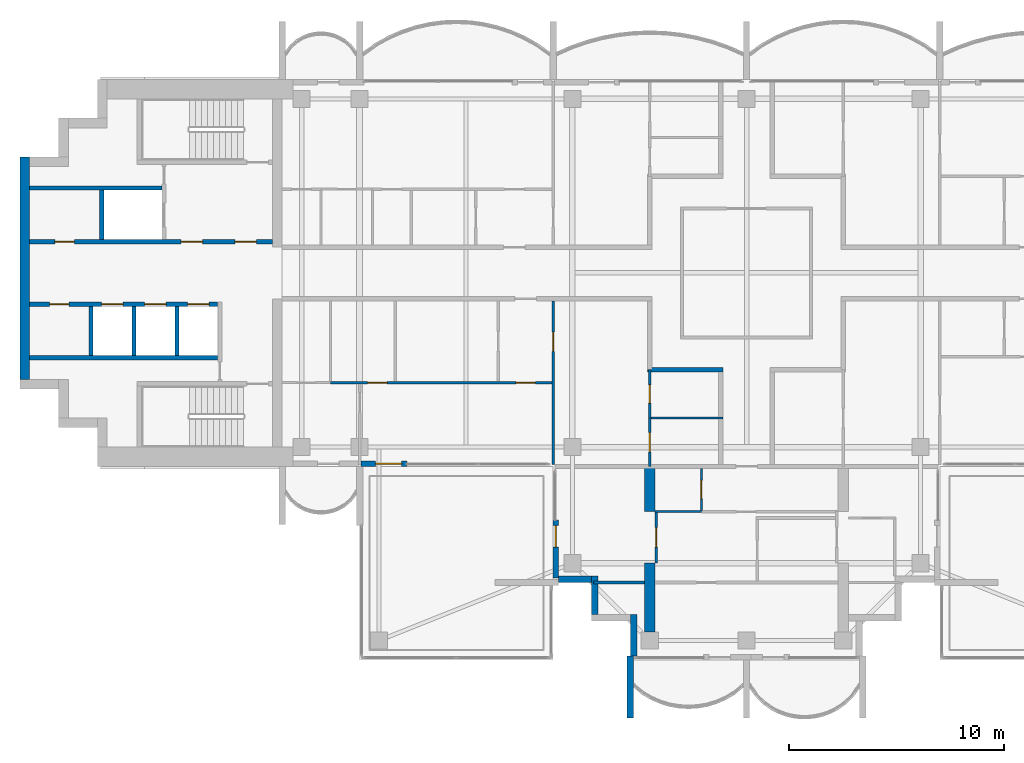
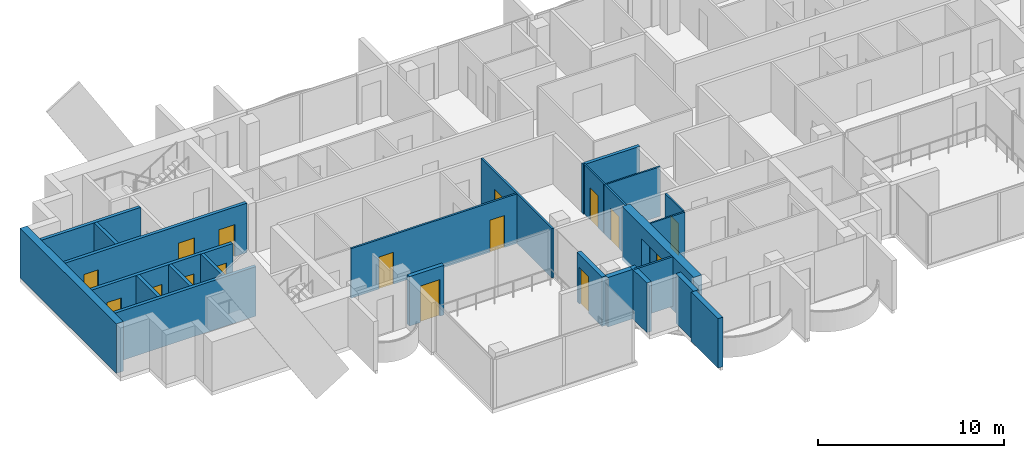
# One storey, part 7 of 16: 26 walls, 16 doors, 16 openings.
"""IFC4 building model written with IfcOpenShell, lengths in metres."""

import ifcopenshell
import ifcopenshell.guid

model = None  # the IFC model being written
_history = None  # IfcOwnerHistory: only IFC2X3 demands one
_inside = {}  # id of a spatial element -> (the spatial element, [elements in it])
_under = {}  # id of a project, library or spatial element -> (it, [spatial elements below it])
_declared = {}  # id of a project -> (the project, [libraries it declares])
_typed = {}  # id of a type object -> (the type object, [elements of that type])
_made_of = {}  # id of a material, layer set ... -> (it, [elements and type objects made of it])


def new_model(schema):
    """Start an empty IFC model of exactly this schema.

    Asked for "IFC4X3", IfcOpenShell would pick the latest addendum, in which some entities
    have other attributes; the version numbers below select the first issue.
    IFC2X3 requires an IfcOwnerHistory on every rooted entity: one is made here for all.
    """
    global model, _history
    if schema == "IFC4X3":
        model = ifcopenshell.file(schema_version=(4, 3, 0, 0))
    else:
        model = ifcopenshell.file(schema=schema)
    _inside.clear()
    _under.clear()
    _declared.clear()
    _typed.clear()
    _made_of.clear()
    _history = None
    if model.schema == "IFC2X3":
        org = make("IfcOrganization", Name="unknown")
        user = make(
            "IfcPersonAndOrganization",
            ThePerson=make("IfcPerson", FamilyName="unknown"),
            TheOrganization=org,
        )
        app = make(
            "IfcApplication",
            ApplicationDeveloper=org,
            Version="unknown",
            ApplicationFullName="unknown",
            ApplicationIdentifier="unknown",
        )
        _history = make(
            "IfcOwnerHistory",
            OwningUser=user,
            OwningApplication=app,
            ChangeAction="ADDED",
            CreationDate=0,
        )
    return model


def make(cls, **values):
    """One entity of the class cls with the attributes given. An attribute that is None is left unset."""
    return model.create_entity(
        cls, **{name: value for name, value in values.items() if value is not None}
    )


def rooted(cls, **values):
    """An entity with a GlobalId (a new one), such as an element, a storey or a relation."""
    return make(cls, GlobalId=ifcopenshell.guid.new(), OwnerHistory=_history, **values)


def si_unit(unit_type, name, prefix=None):
    """IfcSIUnit, for example si_unit("LENGTHUNIT", "METRE", prefix="MILLI")."""
    return make("IfcSIUnit", UnitType=unit_type, Prefix=prefix, Name=name)


def assignment(units):
    """IfcUnitAssignment: the units of a project."""
    return None if units is None else make("IfcUnitAssignment", Units=units)


def point(xyz):
    """IfcCartesianPoint."""
    return None if xyz is None else make("IfcCartesianPoint", Coordinates=xyz)


def direction(xyz):
    """IfcDirection."""
    return None if xyz is None else make("IfcDirection", DirectionRatios=xyz)


def frame(location, z_axis=None, x_axis=None):
    """IfcAxis2Placement3D, a coordinate frame: its origin and axes. An axis left out is left unset."""
    return make(
        "IfcAxis2Placement3D",
        Location=point(location),
        Axis=direction(z_axis),
        RefDirection=direction(x_axis),
    )


def frame_2d(location, x_axis=None):
    """IfcAxis2Placement2D, a coordinate frame in the plane: its origin and x axis."""
    return make(
        "IfcAxis2Placement2D", Location=point(location), RefDirection=direction(x_axis)
    )


def origin():
    """The frame at (0, 0, 0) with its axes left unset."""
    return frame((0.0, 0.0, 0.0))


def place(relative_to, where):
    """IfcLocalPlacement: puts the frame where relative to a parent placement (None: the world)."""
    return make(
        "IfcLocalPlacement", PlacementRelTo=relative_to, RelativePlacement=where
    )


def context(
    kind, dimensions, precision=None, world=None, true_north=None, identifier=None
):
    """IfcGeometricRepresentationContext, for example the 3D "Model" context."""
    return make(
        "IfcGeometricRepresentationContext",
        ContextIdentifier=identifier,
        ContextType=kind,
        CoordinateSpaceDimension=dimensions,
        Precision=precision,
        WorldCoordinateSystem=world,
        TrueNorth=true_north,
    )


def subcontext(parent, identifier, kind, view, scale=None):
    """IfcGeometricRepresentationSubContext, for example "Body" below "Model"."""
    return make(
        "IfcGeometricRepresentationSubContext",
        ContextIdentifier=identifier,
        ContextType=kind,
        ParentContext=parent,
        TargetScale=scale,
        TargetView=view,
    )


def project(units=None, contexts=None):
    """IfcProject with its units and contexts."""
    return rooted(
        "IfcProject",
        Name="project",
        RepresentationContexts=contexts,
        UnitsInContext=assignment(units),
    )


def spatial(cls, under=None, at=None, **own):
    """A site, building, storey or space (cls), placed at a placement, below another one or the project."""
    s = rooted(cls, ObjectPlacement=at, **own)
    if under is not None:
        _under.setdefault(under.id(), (under, []))[1].append(s)
    return s


def polyline(points):
    """IfcPolyline through the points."""
    return make("IfcPolyline", Points=[point(p) for p in points])


def profile(cls, at=None, kind="AREA", **sizes):
    """A parametric profile (cls). Its sizes go by their IFC names, for example OverallWidth=200.0."""
    return make(cls, ProfileType=kind, Position=at, **sizes)


def rectangle(**sizes):
    """IfcRectangleProfileDef."""
    return profile("IfcRectangleProfileDef", **sizes)


def outline(outer, holes=None, kind="AREA"):
    """IfcArbitraryClosedProfileDef: a profile drawn as a closed curve; with holes, ...WithVoids."""
    if holes is None:
        return make("IfcArbitraryClosedProfileDef", ProfileType=kind, OuterCurve=outer)
    return make(
        "IfcArbitraryProfileDefWithVoids",
        ProfileType=kind,
        OuterCurve=outer,
        InnerCurves=holes,
    )


def extrude(swept, where, along, depth):
    """IfcExtrudedAreaSolid: the profile swept, set in the frame where, extruded along a direction by depth."""
    return make(
        "IfcExtrudedAreaSolid",
        SweptArea=swept,
        Position=where,
        ExtrudedDirection=direction(along),
        Depth=depth,
    )


def shape(context_of_items, identifier, shape_type, items):
    """IfcShapeRepresentation: the items that make up one representation, for example the "Body"."""
    return make(
        "IfcShapeRepresentation",
        ContextOfItems=context_of_items,
        RepresentationIdentifier=identifier,
        RepresentationType=shape_type,
        Items=items,
    )


def material(Name=None, Category=None):
    """IfcMaterial."""
    return make("IfcMaterial", Name=Name, Category=Category)


def layer(
    of_material, thickness, ventilated=None, Name=None, Category=None, Priority=None
):
    """IfcMaterialLayer: one layer of a wall or slab, of a material (None: an air gap)."""
    return make(
        "IfcMaterialLayer",
        Material=of_material,
        LayerThickness=thickness,
        IsVentilated=ventilated,
        Name=Name,
        Category=Category,
        Priority=Priority,
    )


def layer_set(layers, Name=None):
    """IfcMaterialLayerSet."""
    return make("IfcMaterialLayerSet", MaterialLayers=layers, LayerSetName=Name)


def material_profile(
    of_material, cross_section, Name=None, Category=None, Priority=None
):
    """IfcMaterialProfile: a cross section and its material."""
    return make(
        "IfcMaterialProfile",
        Name=Name,
        Material=of_material,
        Profile=cross_section,
        Priority=Priority,
        Category=Category,
    )


def profile_set(profiles, Name=None, composite=None):
    """IfcMaterialProfileSet."""
    return make(
        "IfcMaterialProfileSet",
        Name=Name,
        MaterialProfiles=profiles,
        CompositeProfile=composite,
    )


def made_of(thing, what):
    """Note that an element or type object is made of a material, layer set ...; save() writes the relation."""
    if what is not None:
        _made_of.setdefault(what.id(), (what, []))[1].append(thing)
    return thing


def type_object(cls, material=None, **own):
    """A type object (cls), such as IfcWallType, which elements share."""
    return made_of(rooted(cls, **own), material)


def element(
    cls,
    number,
    at=None,
    inside=None,
    cuts=None,
    type_object=None,
    material=None,
    context=None,
    identifier="Body",
    shape_type=None,
    held_by="IfcProductDefinitionShape",
    body=None,
    shapes=None,
    **own,
):
    """One element of the class cls, such as IfcWall. Its Tag is "e" and its number.

    at: its placement. inside: the storey or other place that contains it. cuts: it is an
    opening in that element (IfcRelVoidsElement). A single representation is given by context,
    identifier, shape_type and body (its items); several are given by shapes. held_by: the class
    of the entity that holds the representations. save() writes the other relations.
    """
    e = rooted(cls, Tag="e%d" % number, ObjectPlacement=at, **own)
    if body is not None:
        shapes = [shape(context, identifier, shape_type, body)]
    if shapes is not None:
        e.Representation = make(held_by, Representations=shapes)
    if inside is not None:
        _inside.setdefault(inside.id(), (inside, []))[1].append(e)
    if cuts is not None:
        rooted(
            "IfcRelVoidsElement", RelatingBuildingElement=cuts, RelatedOpeningElement=e
        )
    if type_object is not None:
        _typed.setdefault(type_object.id(), (type_object, []))[1].append(e)
    return made_of(e, material)


def fill(opening, filler):
    """IfcRelFillsElement: the door or window that sits in an opening."""
    return rooted(
        "IfcRelFillsElement",
        RelatingOpeningElement=opening,
        RelatedBuildingElement=filler,
    )


def aggregate(whole, parts):
    """IfcRelAggregates: a whole, such as a stair, and the parts it consists of."""
    return rooted("IfcRelAggregates", RelatingObject=whole, RelatedObjects=parts)


def save(model, path):
    """Write the relations noted so far, then the file.

    IfcRelAggregates (storeys below a building ...), IfcRelContainedInSpatialStructure (elements
    in a storey), IfcRelDefinesByType, IfcRelAssociatesMaterial and IfcRelDeclares: one each for
    every whole, place, type object, material and project.
    """
    for whole, parts in _under.values():
        aggregate(whole, parts)
    for where, things in _inside.values():
        rooted(
            "IfcRelContainedInSpatialStructure",
            RelatedElements=things,
            RelatingStructure=where,
        )
    for kind, things in _typed.values():
        rooted("IfcRelDefinesByType", RelatedObjects=things, RelatingType=kind)
    for what, things in _made_of.values():
        rooted("IfcRelAssociatesMaterial", RelatedObjects=things, RelatingMaterial=what)
    for by, libraries in _declared.values():
        rooted("IfcRelDeclares", RelatingContext=by, RelatedDefinitions=libraries)
    model.write(path)


model = new_model("IFC4")

# Units and contexts
model_context = context("Model", 3, precision=1e-05, world=origin(), true_north=direction((0.0, 1.0)))
body_context = subcontext(model_context, "Body", "Model", "MODEL_VIEW")
ifc_project = project(units=[si_unit("LENGTHUNIT", "METRE"), si_unit("AREAUNIT", "SQUARE_METRE"), si_unit("VOLUMEUNIT", "CUBIC_METRE"), si_unit("PLANEANGLEUNIT", "RADIAN"), si_unit("MASSUNIT", "GRAM", prefix="KILO")], contexts=[model_context])

# Site, building, storey
site_placement = place(None, origin())
site = spatial("IfcSite", under=ifc_project, at=site_placement, CompositionType="ELEMENT")
building_placement = place(site_placement, origin())
building = spatial("IfcBuilding", under=site, at=building_placement, Name="Perihelion Cross Residences", CompositionType="ELEMENT")
storey_placement = place(building_placement, frame((0.0, 0.0, 250.0)))
storey = spatial("IfcBuildingStorey", under=building, at=storey_placement, Name="L63", CompositionType="ELEMENT", Elevation=250.0)

# Wall
ifc_material_1 = material(Name="Plasterboard partition")
ifc_layer_1 = layer(ifc_material_1, 0.199951171875)
ifc_layer_set_1 = layer_set([ifc_layer_1], Name="Apartment separation wall 200")
wall_type_1 = type_object("IfcWallType", Name="Apartment separation wall 200", PredefinedType="PARTITIONING", material=ifc_layer_set_1)
wall_1_placement = place(storey_placement, frame((-1.10009765625, -4.5, 0.0), z_axis=(0.0, 0.0, 1.0), x_axis=(-1.0, 0.0, 0.0)))
element("IfcWall", 1, at=wall_1_placement, inside=storey, type_object=wall_type_1, Name="Partition L63 W020", PredefinedType="PARTITIONING", context=body_context, shape_type="SweptSolid", body=[
    extrude(rectangle(XDim=3.5, YDim=0.199951171875, at=frame_2d((1.75, 0.0))), origin(), (0.0, 0.0, 1.0), 3.25),
])

# Wall, opening, door
ifc_material_2 = material(Name="Concrete C30/37, bronze-clad", Category="concrete")
ifc_layer_2 = layer(ifc_material_2, 0.25)
ifc_layer_set_2 = layer_set([ifc_layer_2], Name="Bronze-clad pier wall 250")
wall_type_2 = type_object("IfcWallType", Name="Bronze-clad pier wall 250", PredefinedType="SOLIDWALL", material=ifc_layer_set_2)
wall_2_placement = place(storey_placement, frame((-17.93994140625, -8.875, 0.0), z_axis=(0.0, 0.0, 1.0), x_axis=(1.0, 0.0, 0.0)))
wall_2 = element("IfcWall", 2, at=wall_2_placement, inside=storey, type_object=wall_type_2, Name="Wall FW1 L63 west side south bay 2 pier", PredefinedType="SOLIDWALL", context=body_context, shape_type="SweptSolid", body=[
    extrude(rectangle(XDim=2.139892578125, YDim=0.25, at=frame_2d((1.06982421875, 0.0))), origin(), (0.0, 0.0, 1.0), 3.25),
])
opening_1_placement = place(wall_2_placement, frame((0.68994140625, 0.0, 0.0)))
opening_1 = element("IfcOpeningElement", 3, at=opening_1_placement, cuts=wall_2, Name="Opening L63.E08", PredefinedType="OPENING", context=body_context, shape_type="SweptSolid", body=[
    extrude(rectangle(XDim=1.199951171875, YDim=2.39990234375, at=frame_2d((0.60009765625, 1.199951171875))), frame((0.0, 0.135009765625, 0.0), z_axis=(0.0, -1.0, 0.0), x_axis=(1.0, 0.0, 0.0)), (0.0, 0.0, 1.0), 0.27001953125),
])
ifc_material_3 = material(Name="Bronze anodised aluminium, glazed", Category="aluminium")
door_type_1 = type_object("IfcDoorType", Name="Balcony door 1200 x 2400", OperationType="NOTDEFINED", PredefinedType="DOOR", material=ifc_material_3)
door_1_placement = place(opening_1_placement, origin())
door_1 = element("IfcDoor", 4, at=door_1_placement, inside=storey, type_object=door_type_1, Name="Door L63.E08 west side south bay 2", OperationType="SINGLE_SWING_RIGHT", OverallHeight=2.39990234375, OverallWidth=1.199951171875, PredefinedType="DOOR", context=body_context, shape_type="SweptSolid", body=[
    extrude(rectangle(XDim=1.199951171875, YDim=2.39990234375, at=frame_2d((0.60009765625, 1.199951171875))), frame((0.0, 0.02490234375, 0.0), z_axis=(0.0, -1.0, 0.0), x_axis=(1.0, 0.0, 0.0)), (0.0, 0.0, 1.0), 0.050048828125),
])
fill(opening_1, door_1)

wall_3_placement = place(storey_placement, frame((-8.875, -11.5, 0.0), z_axis=(0.0, 0.0, 1.0), x_axis=(0.0, -1.0, 0.0)))
wall_3 = element("IfcWall", 5, at=wall_3_placement, inside=storey, type_object=wall_type_2, Name="Wall FW1 L63 south side west bay 1 pier", PredefinedType="SOLIDWALL", context=body_context, shape_type="SweptSolid", body=[
    extrude(rectangle(XDim=2.699951171875, YDim=0.25, at=frame_2d((1.35009765625, 0.0))), origin(), (0.0, 0.0, 1.0), 3.25),
])
opening_2_placement = place(wall_3_placement, frame((0.25, 0.0, 0.0)))
opening_2 = element("IfcOpeningElement", 6, at=opening_2_placement, cuts=wall_3, Name="Opening L63.E09", PredefinedType="OPENING", context=body_context, shape_type="SweptSolid", body=[
    extrude(rectangle(XDim=1.0, YDim=2.39990234375, at=frame_2d((0.5, 1.199951171875))), frame((0.0, 0.135009765625, 0.0), z_axis=(0.0, -1.0, 0.0), x_axis=(1.0, 0.0, 0.0)), (0.0, 0.0, 1.0), 0.27001953125),
])
ifc_material_4 = material(Name="Bronze anodised aluminium, glazed", Category="aluminium")
door_type_2 = type_object("IfcDoorType", Name="Balcony door 1000 x 2400", OperationType="NOTDEFINED", PredefinedType="DOOR", material=ifc_material_4)
door_2_placement = place(opening_2_placement, origin())
door_2 = element("IfcDoor", 7, at=door_2_placement, inside=storey, type_object=door_type_2, Name="Door L63.E09 south side west bay 1", OperationType="SINGLE_SWING_LEFT", OverallHeight=2.39990234375, OverallWidth=1.0, PredefinedType="DOOR", context=body_context, shape_type="SweptSolid", body=[
    extrude(rectangle(XDim=1.0, YDim=2.39990234375, at=frame_2d((0.5, 1.199951171875))), frame((0.0, 0.02490234375, 0.0), z_axis=(0.0, -1.0, 0.0), x_axis=(1.0, 0.0, 0.0)), (0.0, 0.0, 1.0), 0.050048828125),
])
fill(opening_2, door_2)

# Walls
ifc_material_5 = material(Name="Concrete C30/37, bronze-clad", Category="concrete")
ifc_layer_3 = layer(ifc_material_5, 0.300048828125)
ifc_layer_set_3 = layer_set([ifc_layer_3], Name="Bronze-clad serration wall 300")
wall_type_3 = type_object("IfcWallType", Name="Bronze-clad serration wall 300", PredefinedType="SOLIDWALL", material=ifc_layer_set_3)
wall_4_placement = place(storey_placement, frame((-8.75, -14.25, 0.0), z_axis=(0.0, 0.0, 1.0), x_axis=(1.0, 0.0, 0.0)))
element("IfcWall", 8, at=wall_4_placement, inside=storey, type_object=wall_type_3, Name="Wall SR1 L63 south corner south-west 1", PredefinedType="SOLIDWALL", context=body_context, shape_type="SweptSolid", body=[
    extrude(rectangle(XDim=1.550048828125, YDim=0.300048828125, at=frame_2d((0.77490234375, 0.0))), origin(), (0.0, 0.0, 1.0), 3.25),
])
wall_5_placement = place(storey_placement, frame((-7.050048828125, -14.10009765625, 0.0), z_axis=(0.0, 0.0, 1.0), x_axis=(0.0, -1.0, 0.0)))
element("IfcWall", 9, at=wall_5_placement, inside=storey, type_object=wall_type_3, Name="Wall SR1 L63 south corner south-west 2", PredefinedType="SOLIDWALL", context=body_context, shape_type="SweptSolid", body=[
    extrude(rectangle(XDim=1.7998046875, YDim=0.300048828125, at=frame_2d((0.89990234375, 0.0))), origin(), (0.0, 0.0, 1.0), 3.25),
])
wall_6_placement = place(storey_placement, frame((-5.25, -15.89990234375, 0.0), z_axis=(0.0, 0.0, 1.0), x_axis=(0.0, -1.0, 0.0)))
element("IfcWall", 10, at=wall_6_placement, inside=storey, type_object=wall_type_3, Name="Wall SR1 L63 south corner south-west 4", PredefinedType="SOLIDWALL", context=body_context, shape_type="SweptSolid", body=[
    extrude(rectangle(XDim=1.920166015625, YDim=0.300048828125, at=frame_2d((0.9599609375, 0.0))), origin(), (0.0, 0.0, 1.0), 3.25),
])
ifc_material_6 = material(Name="Concrete C60/75", Category="concrete")
ifc_layer_4 = layer(ifc_material_6, 0.449951171875)
ifc_layer_set_4 = layer_set([ifc_layer_4], Name="Core wall, outer 450")
wall_type_4 = type_object("IfcWallType", Name="Core wall, outer 450", PredefinedType="SHEAR", material=ifc_layer_set_4)
wall_7_placement = place(storey_placement, frame((-33.574951171875, -4.949951171875, 0.0), z_axis=(0.0, 0.0, 1.0), x_axis=(0.0, 1.0, 0.0)))
element("IfcWall", 11, at=wall_7_placement, inside=storey, type_object=wall_type_4, Name="West core core wall, outer", PredefinedType="SHEAR", context=body_context, shape_type="SweptSolid", body=[
    extrude(rectangle(XDim=10.349853515625, YDim=0.449951171875, at=frame_2d((5.1748046875, 0.0))), origin(), (0.0, 0.0, 1.0), 3.25),
])

# Wall, opening, door
ifc_material_7 = material(Name="Plasterboard partition")
ifc_layer_5 = layer(ifc_material_7, 0.1201171875)
ifc_layer_set_5 = layer_set([ifc_layer_5], Name="Infill panel 120")
wall_type_5 = type_object("IfcWallType", Name="Infill panel 120", PredefinedType="PARTITIONING", material=ifc_layer_set_5)
wall_8_placement = place(storey_placement, frame((-4.18994140625, -11.10009765625, 0.0), z_axis=(0.0, 0.0, 1.0), x_axis=(0.0, -1.0, 0.0)))
wall_8 = element("IfcWall", 12, at=wall_8_placement, inside=storey, type_object=wall_type_5, Name="Partition L63 WI02", PredefinedType="PARTITIONING", context=body_context, shape_type="SweptSolid", body=[
    extrude(rectangle(XDim=2.39990234375, YDim=0.1201171875, at=frame_2d((1.199951171875, 0.0))), origin(), (0.0, 0.0, 1.0), 2.39990234375),
])
opening_3_placement = place(wall_8_placement, frame((0.75, 0.0, 0.0)))
opening_3 = element("IfcOpeningElement", 13, at=opening_3_placement, cuts=wall_8, Name="Opening L63.A43", PredefinedType="OPENING", context=body_context, shape_type="SweptSolid", body=[
    extrude(rectangle(XDim=0.89990234375, YDim=2.10009765625, at=frame_2d((0.449951171875, 1.050048828125))), frame((0.0, 0.070068359375, 0.0), z_axis=(0.0, -1.0, 0.0), x_axis=(1.0, 0.0, 0.0)), (0.0, 0.0, 1.0), 0.14013671875),
])
ifc_material_8 = material(Name="Timber door leaf", Category="wood")
door_type_3 = type_object("IfcDoorType", Name="Interior room door 900 x 2100", OperationType="SINGLE_SWING_LEFT", PredefinedType="DOOR", material=ifc_material_8)
door_3_placement = place(opening_3_placement, origin())
door_3 = element("IfcDoor", 14, at=door_3_placement, inside=storey, type_object=door_type_3, Name="Door L63.A43", OperationType="SINGLE_SWING_LEFT", OverallHeight=2.10009765625, OverallWidth=0.89990234375, PredefinedType="DOOR", context=body_context, shape_type="SweptSolid", body=[
    extrude(rectangle(XDim=0.89990234375, YDim=2.10009765625, at=frame_2d((0.449951171875, 1.050048828125))), frame((0.0, 0.02490234375, 0.0), z_axis=(0.0, -1.0, 0.0), x_axis=(1.0, 0.0, 0.0)), (0.0, 0.0, 1.0), 0.050048828125),
])
fill(opening_3, door_3)

# Wall, openings, doors
ifc_material_9 = material(Name="Plasterboard partition")
ifc_layer_6 = layer(ifc_material_9, 0.1201171875)
ifc_layer_set_6 = layer_set([ifc_layer_6], Name="Partition wall 120")
wall_type_6 = type_object("IfcWallType", Name="Partition wall 120", PredefinedType="PARTITIONING", material=ifc_layer_set_6)
wall_9_placement = place(storey_placement, frame((-8.93994140625, -5.10009765625, 0.0), z_axis=(0.0, 0.0, 1.0), x_axis=(-1.0, 0.0, 0.0)))
wall_9 = element("IfcWall", 15, at=wall_9_placement, inside=storey, type_object=wall_type_6, Name="Partition L63 W052", PredefinedType="PARTITIONING", context=body_context, shape_type="SweptSolid", body=[
    extrude(rectangle(XDim=10.41015625, YDim=0.1201171875, at=frame_2d((5.205078125, 0.0))), origin(), (0.0, 0.0, 1.0), 3.25),
])
opening_4_placement = place(wall_9_placement, frame((0.885009765625, 0.0, 0.0)))
opening_4 = element("IfcOpeningElement", 16, at=opening_4_placement, cuts=wall_9, Name="Opening L63.A30", PredefinedType="OPENING", context=body_context, shape_type="SweptSolid", body=[
    extrude(rectangle(XDim=0.89990234375, YDim=2.10009765625, at=frame_2d((0.449951171875, 1.050048828125))), frame((0.0, 0.070068359375, 0.0), z_axis=(0.0, -1.0, 0.0), x_axis=(1.0, 0.0, 0.0)), (0.0, 0.0, 1.0), 0.14013671875),
])
opening_5_placement = place(wall_9_placement, frame((7.784912109375, 0.0, 0.0)))
opening_5 = element("IfcOpeningElement", 17, at=opening_5_placement, cuts=wall_9, Name="Opening L63.A31", PredefinedType="OPENING", context=body_context, shape_type="SweptSolid", body=[
    extrude(rectangle(XDim=0.89990234375, YDim=2.10009765625, at=frame_2d((0.449951171875, 1.050048828125))), frame((0.0, 0.070068359375, 0.0), z_axis=(0.0, -1.0, 0.0), x_axis=(1.0, 0.0, 0.0)), (0.0, 0.0, 1.0), 0.14013671875),
])
door_4_placement = place(opening_4_placement, origin())
door_4 = element("IfcDoor", 18, at=door_4_placement, inside=storey, type_object=door_type_3, Name="Door L63.A30", OperationType="SINGLE_SWING_RIGHT", OverallHeight=2.10009765625, OverallWidth=0.89990234375, PredefinedType="DOOR", context=body_context, shape_type="SweptSolid", body=[
    extrude(rectangle(XDim=0.89990234375, YDim=2.10009765625, at=frame_2d((0.449951171875, 1.050048828125))), frame((0.0, 0.02490234375, 0.0), z_axis=(0.0, -1.0, 0.0), x_axis=(1.0, 0.0, 0.0)), (0.0, 0.0, 1.0), 0.050048828125),
])
fill(opening_4, door_4)
door_5_placement = place(opening_5_placement, origin())
door_5 = element("IfcDoor", 19, at=door_5_placement, inside=storey, type_object=door_type_3, Name="Door L63.A31", OperationType="SINGLE_SWING_LEFT", OverallHeight=2.10009765625, OverallWidth=0.89990234375, PredefinedType="DOOR", context=body_context, shape_type="SweptSolid", body=[
    extrude(rectangle(XDim=0.89990234375, YDim=2.10009765625, at=frame_2d((0.449951171875, 1.050048828125))), frame((0.0, 0.02490234375, 0.0), z_axis=(0.0, -1.0, 0.0), x_axis=(1.0, 0.0, 0.0)), (0.0, 0.0, 1.0), 0.050048828125),
])
fill(opening_5, door_5)

# Wall, opening, door
wall_10_placement = place(storey_placement, frame((-9.0, -1.300048828125, 0.0), z_axis=(0.0, 0.0, 1.0), x_axis=(0.0, -1.0, 0.0)))
wall_10 = element("IfcWall", 20, at=wall_10_placement, inside=storey, type_object=wall_type_6, Name="Partition L63 W053", PredefinedType="PARTITIONING", context=body_context, shape_type="SweptSolid", body=[
    extrude(rectangle(XDim=7.619873046875, YDim=0.1201171875, at=frame_2d((3.81005859375, 0.0))), origin(), (0.0, 0.0, 1.0), 3.25),
])
opening_6_placement = place(wall_10_placement, frame((1.449951171875, 0.0, 0.0)))
opening_6 = element("IfcOpeningElement", 21, at=opening_6_placement, cuts=wall_10, Name="Opening L63.A26", PredefinedType="OPENING", context=body_context, shape_type="SweptSolid", body=[
    extrude(rectangle(XDim=0.89990234375, YDim=2.10009765625, at=frame_2d((0.449951171875, 1.050048828125))), frame((0.0, 0.070068359375, 0.0), z_axis=(0.0, -1.0, 0.0), x_axis=(1.0, 0.0, 0.0)), (0.0, 0.0, 1.0), 0.14013671875),
])
door_6_placement = place(opening_6_placement, origin())
door_6 = element("IfcDoor", 22, at=door_6_placement, inside=storey, type_object=door_type_3, Name="Door L63.A26", OperationType="SINGLE_SWING_RIGHT", OverallHeight=2.10009765625, OverallWidth=0.89990234375, PredefinedType="DOOR", context=body_context, shape_type="SweptSolid", body=[
    extrude(rectangle(XDim=0.89990234375, YDim=2.10009765625, at=frame_2d((0.449951171875, 1.050048828125))), frame((0.0, 0.02490234375, 0.0), z_axis=(0.0, -1.0, 0.0), x_axis=(1.0, 0.0, 0.0)), (0.0, 0.0, 1.0), 0.050048828125),
])
fill(opening_6, door_6)

wall_11_placement = place(storey_placement, frame((-4.5, -6.75, 0.0), z_axis=(0.0, 0.0, 1.0), x_axis=(0.0, -1.0, 0.0)))
wall_11 = element("IfcWall", 23, at=wall_11_placement, inside=storey, type_object=wall_type_6, Name="Partition L63 W059", PredefinedType="PARTITIONING", context=body_context, shape_type="SweptSolid", body=[
    extrude(rectangle(XDim=2.25, YDim=0.1201171875, at=frame_2d((1.125, 0.0))), origin(), (0.0, 0.0, 1.0), 3.25),
])
opening_7_placement = place(wall_11_placement, frame((0.675048828125, 0.0, 0.0)))
opening_7 = element("IfcOpeningElement", 24, at=opening_7_placement, cuts=wall_11, Name="Opening L63.A28", PredefinedType="OPENING", context=body_context, shape_type="SweptSolid", body=[
    extrude(rectangle(XDim=0.89990234375, YDim=2.10009765625, at=frame_2d((0.449951171875, 1.050048828125))), frame((0.0, 0.070068359375, 0.0), z_axis=(0.0, -1.0, 0.0), x_axis=(1.0, 0.0, 0.0)), (0.0, 0.0, 1.0), 0.14013671875),
])
door_7_placement = place(opening_7_placement, origin())
door_7 = element("IfcDoor", 25, at=door_7_placement, inside=storey, type_object=door_type_3, Name="Door L63.A28", OperationType="SINGLE_SWING_RIGHT", OverallHeight=2.10009765625, OverallWidth=0.89990234375, PredefinedType="DOOR", context=body_context, shape_type="SweptSolid", body=[
    extrude(rectangle(XDim=0.89990234375, YDim=2.10009765625, at=frame_2d((0.449951171875, 1.050048828125))), frame((0.0, 0.02490234375, 0.0), z_axis=(0.0, -1.0, 0.0), x_axis=(1.0, 0.0, 0.0)), (0.0, 0.0, 1.0), 0.050048828125),
])
fill(opening_7, door_7)

# Walls
wall_12_placement = place(storey_placement, frame((-4.75, -14.39990234375, 0.0), z_axis=(0.0, 0.0, 1.0), x_axis=(-1.0, 0.0, 0.0)))
element("IfcWall", 26, at=wall_12_placement, inside=storey, type_object=wall_type_6, Name="Partition L63 W070", PredefinedType="PARTITIONING", context=body_context, shape_type="SweptSolid", body=[
    extrude(rectangle(XDim=2.3701171875, YDim=0.1201171875, at=frame_2d((1.18505859375, 0.0))), origin(), (0.0, 0.0, 1.0), 3.25),
])
ifc_material_10 = material(Name="Precast concrete C50/60", Category="concrete")
ifc_layer_7 = layer(ifc_material_10, 0.300048828125)
ifc_layer_set_7 = layer_set([ifc_layer_7], Name="Precast concrete C50/60 blade wall 300")
wall_type_7 = type_object("IfcWallType", Name="Precast concrete C50/60 blade wall 300", PredefinedType="SOLIDWALL", material=ifc_layer_set_7)
wall_13_placement = place(storey_placement, frame((-5.39990234375, -17.820068359375, 0.0), z_axis=(0.0, 0.0, 1.0), x_axis=(0.0, -1.0, 0.0)))
element("IfcWall", 27, at=wall_13_placement, inside=storey, type_object=wall_type_7, Name="Wall BL1 L63 no. 5", PredefinedType="SOLIDWALL", context=body_context, shape_type="SweptSolid", body=[
    extrude(rectangle(XDim=2.8798828125, YDim=0.300048828125, at=frame_2d((1.43994140625, 0.0))), origin(), (0.0, 0.0, 1.0), 3.25),
])

# Wall, openings, doors
ifc_material_11 = material(Name="Concrete C50/60", Category="concrete")
ifc_layer_8 = layer(ifc_material_11, 0.199951171875)
ifc_layer_set_8 = layer_set([ifc_layer_8], Name="Shaft wall 200")
wall_type_8 = type_object("IfcWallType", Name="Shaft wall 200", PredefinedType="SOLIDWALL", material=ifc_layer_set_8)
wall_14_placement = place(storey_placement, frame((-33.35009765625, 1.449951171875, 0.0), z_axis=(0.0, 0.0, 1.0), x_axis=(1.0, 0.0, 0.0)))
wall_14 = element("IfcWall", 28, at=wall_14_placement, inside=storey, type_object=wall_type_8, Name="West core shaft wall", PredefinedType="SOLIDWALL", context=body_context, shape_type="SweptSolid", body=[
    extrude(rectangle(XDim=11.300048828125, YDim=0.199951171875, at=frame_2d((5.64990234375, 0.0))), origin(), (0.0, 0.0, 1.0), 3.25),
])
opening_8_placement = place(wall_14_placement, frame((9.550048828125, 0.0, 0.0)))
opening_8 = element("IfcOpeningElement", 29, at=opening_8_placement, cuts=wall_14, Name="Opening L63.C19", PredefinedType="OPENING", context=body_context, shape_type="SweptSolid", body=[
    extrude(rectangle(XDim=1.0, YDim=2.10009765625, at=frame_2d((0.5, 1.050048828125))), frame((0.0, 0.10986328125, 0.0), z_axis=(0.0, -1.0, 0.0), x_axis=(1.0, 0.0, 0.0)), (0.0, 0.0, 1.0), 0.219970703125),
])
opening_9_placement = place(wall_14_placement, frame((7.050048828125, 0.0, 0.0)))
opening_9 = element("IfcOpeningElement", 30, at=opening_9_placement, cuts=wall_14, Name="Opening L63.C21", PredefinedType="OPENING", context=body_context, shape_type="SweptSolid", body=[
    extrude(rectangle(XDim=1.0, YDim=2.10009765625, at=frame_2d((0.5, 1.050048828125))), frame((0.0, 0.10986328125, 0.0), z_axis=(0.0, -1.0, 0.0), x_axis=(1.0, 0.0, 0.0)), (0.0, 0.0, 1.0), 0.219970703125),
])
opening_10_placement = place(wall_14_placement, frame((1.175048828125, 0.0, 0.0)))
opening_10 = element("IfcOpeningElement", 31, at=opening_10_placement, cuts=wall_14, Name="Opening L63.C23", PredefinedType="OPENING", context=body_context, shape_type="SweptSolid", body=[
    extrude(rectangle(XDim=0.89990234375, YDim=2.10009765625, at=frame_2d((0.449951171875, 1.050048828125))), frame((0.0, 0.10986328125, 0.0), z_axis=(0.0, -1.0, 0.0), x_axis=(1.0, 0.0, 0.0)), (0.0, 0.0, 1.0), 0.219970703125),
])
ifc_material_12 = material(Name="Steel, powder coated", Category="steel")
door_type_4 = type_object("IfcDoorType", Name="Lobby door 1000", OperationType="SINGLE_SWING_LEFT", PredefinedType="DOOR", material=ifc_material_12)
door_8_placement = place(opening_8_placement, origin())
door_8 = element("IfcDoor", 32, at=door_8_placement, inside=storey, type_object=door_type_4, Name="West core firefighting lobby door", OperationType="SINGLE_SWING_LEFT", OverallHeight=2.10009765625, OverallWidth=1.0, PredefinedType="DOOR", context=body_context, shape_type="SweptSolid", body=[
    extrude(rectangle(XDim=1.0, YDim=2.10009765625, at=frame_2d((0.5, 1.050048828125))), frame((0.0, 0.02490234375, 0.0), z_axis=(0.0, -1.0, 0.0), x_axis=(1.0, 0.0, 0.0)), (0.0, 0.0, 1.0), 0.050048828125),
])
fill(opening_8, door_8)
door_9_placement = place(opening_9_placement, origin())
door_9 = element("IfcDoor", 33, at=door_9_placement, inside=storey, type_object=door_type_4, Name="West core firefighting lobby door", OperationType="SINGLE_SWING_LEFT", OverallHeight=2.10009765625, OverallWidth=1.0, PredefinedType="DOOR", context=body_context, shape_type="SweptSolid", body=[
    extrude(rectangle(XDim=1.0, YDim=2.10009765625, at=frame_2d((0.5, 1.050048828125))), frame((0.0, 0.02490234375, 0.0), z_axis=(0.0, -1.0, 0.0), x_axis=(1.0, 0.0, 0.0)), (0.0, 0.0, 1.0), 0.050048828125),
])
fill(opening_9, door_9)
ifc_material_13 = material(Name="Steel, powder coated", Category="steel")
door_type_5 = type_object("IfcDoorType", Name="Service room door 900", OperationType="SINGLE_SWING_LEFT", PredefinedType="DOOR", material=ifc_material_13)
door_10_placement = place(opening_10_placement, origin())
door_10 = element("IfcDoor", 34, at=door_10_placement, inside=storey, type_object=door_type_5, Name="West core service room door", OperationType="SINGLE_SWING_LEFT", OverallHeight=2.10009765625, OverallWidth=0.89990234375, PredefinedType="DOOR", context=body_context, shape_type="SweptSolid", body=[
    extrude(rectangle(XDim=0.89990234375, YDim=2.10009765625, at=frame_2d((0.449951171875, 1.050048828125))), frame((0.0, 0.02490234375, 0.0), z_axis=(0.0, -1.0, 0.0), x_axis=(1.0, 0.0, 0.0)), (0.0, 0.0, 1.0), 0.050048828125),
])
fill(opening_10, door_10)

wall_15_placement = place(storey_placement, frame((-33.35009765625, -1.449951171875, 0.0), z_axis=(0.0, 0.0, 1.0), x_axis=(1.0, 0.0, 0.0)))
wall_15 = element("IfcWall", 35, at=wall_15_placement, inside=storey, type_object=wall_type_8, Name="West core shaft wall", PredefinedType="SOLIDWALL", context=body_context, shape_type="SweptSolid", body=[
    extrude(rectangle(XDim=8.75, YDim=0.199951171875, at=frame_2d((4.375, 0.0))), origin(), (0.0, 0.0, 1.0), 3.25),
])
opening_11_placement = place(wall_15_placement, frame((7.35009765625, 0.0, 0.0)))
opening_11 = element("IfcOpeningElement", 36, at=opening_11_placement, cuts=wall_15, Name="Opening L63.C13", PredefinedType="OPENING", context=body_context, shape_type="SweptSolid", body=[
    extrude(rectangle(XDim=1.0, YDim=2.10009765625, at=frame_2d((0.5, 1.050048828125))), frame((0.0, 0.10986328125, 0.0), z_axis=(0.0, -1.0, 0.0), x_axis=(1.0, 0.0, 0.0)), (0.0, 0.0, 1.0), 0.219970703125),
])
opening_12_placement = place(wall_15_placement, frame((5.35009765625, 0.0, 0.0)))
opening_12 = element("IfcOpeningElement", 37, at=opening_12_placement, cuts=wall_15, Name="Opening L63.C15", PredefinedType="OPENING", context=body_context, shape_type="SweptSolid", body=[
    extrude(rectangle(XDim=1.0, YDim=2.10009765625, at=frame_2d((0.5, 1.050048828125))), frame((0.0, 0.10986328125, 0.0), z_axis=(0.0, -1.0, 0.0), x_axis=(1.0, 0.0, 0.0)), (0.0, 0.0, 1.0), 0.219970703125),
])
opening_13_placement = place(wall_15_placement, frame((3.35009765625, 0.0, 0.0)))
opening_13 = element("IfcOpeningElement", 38, at=opening_13_placement, cuts=wall_15, Name="Opening L63.C16", PredefinedType="OPENING", context=body_context, shape_type="SweptSolid", body=[
    extrude(rectangle(XDim=1.0, YDim=2.10009765625, at=frame_2d((0.5, 1.050048828125))), frame((0.0, 0.10986328125, 0.0), z_axis=(0.0, -1.0, 0.0), x_axis=(1.0, 0.0, 0.0)), (0.0, 0.0, 1.0), 0.219970703125),
])
opening_14_placement = place(wall_15_placement, frame((0.925048828125, 0.0, 0.0)))
opening_14 = element("IfcOpeningElement", 39, at=opening_14_placement, cuts=wall_15, Name="Opening L63.C24", PredefinedType="OPENING", context=body_context, shape_type="SweptSolid", body=[
    extrude(rectangle(XDim=0.89990234375, YDim=2.10009765625, at=frame_2d((0.449951171875, 1.050048828125))), frame((0.0, 0.10986328125, 0.0), z_axis=(0.0, -1.0, 0.0), x_axis=(1.0, 0.0, 0.0)), (0.0, 0.0, 1.0), 0.219970703125),
])
ifc_material_14 = material(Name="Stainless steel", Category="steel")
door_type_6 = type_object("IfcDoorType", Name="Landing door 1000", OperationType="DOUBLE_DOOR_SLIDING", PredefinedType="DOOR", material=ifc_material_14)
door_11_placement = place(opening_11_placement, origin())
door_11 = element("IfcDoor", 40, at=door_11_placement, inside=storey, type_object=door_type_6, Name="Landing door, West core high-rise lift 1", OperationType="DOUBLE_DOOR_SLIDING", OverallHeight=2.10009765625, OverallWidth=1.0, PredefinedType="DOOR", context=body_context, shape_type="SweptSolid", body=[
    extrude(rectangle(XDim=1.0, YDim=2.10009765625, at=frame_2d((0.5, 1.050048828125))), frame((0.0, 0.02490234375, 0.0), z_axis=(0.0, -1.0, 0.0), x_axis=(1.0, 0.0, 0.0)), (0.0, 0.0, 1.0), 0.050048828125),
])
fill(opening_11, door_11)
door_12_placement = place(opening_12_placement, origin())
door_12 = element("IfcDoor", 41, at=door_12_placement, inside=storey, type_object=door_type_6, Name="Landing door, West core high-rise lift 2", OperationType="DOUBLE_DOOR_SLIDING", OverallHeight=2.10009765625, OverallWidth=1.0, PredefinedType="DOOR", context=body_context, shape_type="SweptSolid", body=[
    extrude(rectangle(XDim=1.0, YDim=2.10009765625, at=frame_2d((0.5, 1.050048828125))), frame((0.0, 0.02490234375, 0.0), z_axis=(0.0, -1.0, 0.0), x_axis=(1.0, 0.0, 0.0)), (0.0, 0.0, 1.0), 0.050048828125),
])
fill(opening_12, door_12)
door_13_placement = place(opening_13_placement, origin())
door_13 = element("IfcDoor", 42, at=door_13_placement, inside=storey, type_object=door_type_6, Name="Landing door, West core high-rise lift 3", OperationType="DOUBLE_DOOR_SLIDING", OverallHeight=2.10009765625, OverallWidth=1.0, PredefinedType="DOOR", context=body_context, shape_type="SweptSolid", body=[
    extrude(rectangle(XDim=1.0, YDim=2.10009765625, at=frame_2d((0.5, 1.050048828125))), frame((0.0, 0.02490234375, 0.0), z_axis=(0.0, -1.0, 0.0), x_axis=(1.0, 0.0, 0.0)), (0.0, 0.0, 1.0), 0.050048828125),
])
fill(opening_13, door_13)
door_14_placement = place(opening_14_placement, origin())
door_14 = element("IfcDoor", 43, at=door_14_placement, inside=storey, type_object=door_type_5, Name="West core service room door", OperationType="SINGLE_SWING_LEFT", OverallHeight=2.10009765625, OverallWidth=0.89990234375, PredefinedType="DOOR", context=body_context, shape_type="SweptSolid", body=[
    extrude(rectangle(XDim=0.89990234375, YDim=2.10009765625, at=frame_2d((0.449951171875, 1.050048828125))), frame((0.0, 0.02490234375, 0.0), z_axis=(0.0, -1.0, 0.0), x_axis=(1.0, 0.0, 0.0)), (0.0, 0.0, 1.0), 0.050048828125),
])
fill(opening_14, door_14)

# Walls
wall_16_placement = place(storey_placement, frame((-33.35009765625, 3.949951171875, 0.0), z_axis=(0.0, 0.0, 1.0), x_axis=(1.0, 0.0, 0.0)))
element("IfcWall", 44, at=wall_16_placement, inside=storey, type_object=wall_type_8, Name="West core shaft wall", PredefinedType="SOLIDWALL", context=body_context, shape_type="SweptSolid", body=[
    extrude(rectangle(XDim=6.150146484375, YDim=0.199951171875, at=frame_2d((3.0751953125, 0.0))), origin(), (0.0, 0.0, 1.0), 3.25),
])
wall_17_placement = place(storey_placement, frame((-33.35009765625, -3.949951171875, 0.0), z_axis=(0.0, 0.0, 1.0), x_axis=(1.0, 0.0, 0.0)))
element("IfcWall", 45, at=wall_17_placement, inside=storey, type_object=wall_type_8, Name="West core shaft wall", PredefinedType="SOLIDWALL", context=body_context, shape_type="SweptSolid", body=[
    extrude(rectangle(XDim=8.75, YDim=0.199951171875, at=frame_2d((4.375, 0.0))), origin(), (0.0, 0.0, 1.0), 3.25),
])
for number, where, z_axis, x_axis, name in (
    (46, (-30.0, 1.550048828125, 0.0), (0.0, 0.0, 1.0), (0.0, 1.0, 0.0), "West core shaft wall"),
    (47, (-26.5, -3.85009765625, 0.0), (0.0, 0.0, 1.0), (0.0, 1.0, 0.0), "West core shaft wall"),
    (48, (-28.5, -3.85009765625, 0.0), (0.0, 0.0, 1.0), (0.0, 1.0, 0.0), "West core shaft wall"),
    (49, (-30.5, -3.85009765625, 0.0), (0.0, 0.0, 1.0), (0.0, 1.0, 0.0), "West core shaft wall"),
):
    element("IfcWall", number, at=place(storey_placement, frame(where, z_axis=z_axis, x_axis=x_axis)), inside=storey, type_object=wall_type_8, Name=name, PredefinedType="SOLIDWALL", context=body_context, shape_type="SweptSolid", body=[
        extrude(rectangle(XDim=2.300048828125, YDim=0.199951171875, at=frame_2d((1.14990234375, 0.0))), origin(), (0.0, 0.0, 1.0), 3.25),
    ])
ifc_material_15 = material(Name="Concrete C50/60", Category="concrete")
ifc_material_profile = material_profile(ifc_material_15, outline(polyline([(0.0, 0.0), (3.199951171875, 0.0), (3.199951171875, 2.64990234375), (5.60009765625, 2.64990234375), (5.60009765625, 0.0), (7.699951171875, 0.0), (7.699951171875, 3.5), (0.0, 3.5), (0.0, 0.0)])), Name="Tip spine wall")
ifc_profile_set = profile_set([ifc_material_profile], Name="Concrete C50/60")
wall_type_9 = type_object("IfcWallType", Name="Tip spine wall 500 with 1 door openings 7700 long 3500 high concrete C50/60", PredefinedType="SHEAR", material=ifc_profile_set)
wall_18_placement = place(storey_placement, frame((-4.75, -16.699951171875, -0.25), z_axis=(1.0, 0.0, 0.0), x_axis=(0.0, 1.0, 0.0)))
element("IfcWall", 50, at=wall_18_placement, inside=storey, type_object=wall_type_9, Name="Shear wall SW45 L63 south west", PredefinedType="SHEAR", context=body_context, shape_type="SweptSolid", body=[
    extrude(outline(polyline([(0.0, 0.0), (3.199951171875, 0.0), (3.199951171875, 2.64990234375), (5.60009765625, 2.64990234375), (5.60009765625, 0.0), (7.699951171875, 0.0), (7.699951171875, 3.5), (0.0, 3.5), (0.0, 0.0)])), origin(), (0.0, 0.0, 1.0), 0.5),
])

# Wall, opening, door
ifc_material_16 = material(Name="Plasterboard partition")
ifc_layer_9 = layer(ifc_material_16, 0.10009765625)
ifc_layer_set_9 = layer_set([ifc_layer_9], Name="Wet room wall 100")
wall_type_10 = type_object("IfcWallType", Name="Wet room wall 100", PredefinedType="PARTITIONING", material=ifc_layer_set_9)
wall_19_placement = place(storey_placement, frame((-4.5, -4.5, 0.0), z_axis=(0.0, 0.0, 1.0), x_axis=(0.0, -1.0, 0.0)))
wall_19 = element("IfcWall", 51, at=wall_19_placement, inside=storey, type_object=wall_type_10, Name="Partition L63 W058", PredefinedType="PARTITIONING", context=body_context, shape_type="SweptSolid", body=[
    extrude(rectangle(XDim=2.25, YDim=0.10009765625, at=frame_2d((1.125, 0.0))), origin(), (0.0, 0.0, 1.0), 3.25),
])
opening_15_placement = place(wall_19_placement, frame((0.699951171875, 0.0, 0.0)))
opening_15 = element("IfcOpeningElement", 52, at=opening_15_placement, cuts=wall_19, Name="Opening L63.A24", PredefinedType="OPENING", context=body_context, shape_type="SweptSolid", body=[
    extrude(rectangle(XDim=0.85009765625, YDim=2.10009765625, at=frame_2d((0.425048828125, 1.050048828125))), frame((0.0, 0.06005859375, 0.0), z_axis=(0.0, -1.0, 0.0), x_axis=(1.0, 0.0, 0.0)), (0.0, 0.0, 1.0), 0.1201171875),
])
ifc_material_17 = material(Name="Timber door leaf", Category="wood")
door_type_7 = type_object("IfcDoorType", Name="Interior bathroom door 850 x 2100", OperationType="SINGLE_SWING_LEFT", PredefinedType="DOOR", material=ifc_material_17)
door_15_placement = place(opening_15_placement, origin())
door_15 = element("IfcDoor", 53, at=door_15_placement, inside=storey, type_object=door_type_7, Name="Door L63.A24", OperationType="SINGLE_SWING_RIGHT", OverallHeight=2.10009765625, OverallWidth=0.85009765625, PredefinedType="DOOR", context=body_context, shape_type="SweptSolid", body=[
    extrude(rectangle(XDim=0.85009765625, YDim=2.10009765625, at=frame_2d((0.425048828125, 1.050048828125))), frame((0.0, 0.02490234375, 0.0), z_axis=(0.0, -1.0, 0.0), x_axis=(1.0, 0.0, 0.0)), (0.0, 0.0, 1.0), 0.050048828125),
])
fill(opening_15, door_15)

# Wall
wall_20_placement = place(storey_placement, frame((-1.10009765625, -6.75, 0.0), z_axis=(0.0, 0.0, 1.0), x_axis=(-1.0, 0.0, 0.0)))
element("IfcWall", 54, at=wall_20_placement, inside=storey, type_object=wall_type_10, Name="Partition L63 W060", PredefinedType="PARTITIONING", context=body_context, shape_type="SweptSolid", body=[
    extrude(rectangle(XDim=3.4599609375, YDim=0.10009765625, at=frame_2d((1.72998046875, 0.0))), origin(), (0.0, 0.0, 1.0), 3.25),
])

# Wall, opening, door
wall_21_placement = place(storey_placement, frame((-2.10009765625, -11.0400390625, 0.0), z_axis=(0.0, 0.0, 1.0), x_axis=(0.0, 1.0, 0.0)))
wall_21 = element("IfcWall", 55, at=wall_21_placement, inside=storey, type_object=wall_type_10, Name="Partition L63 W061", PredefinedType="PARTITIONING", context=body_context, shape_type="SweptSolid", body=[
    extrude(rectangle(XDim=1.93994140625, YDim=0.10009765625, at=frame_2d((0.969970703125, 0.0))), origin(), (0.0, 0.0, 1.0), 3.25),
])
opening_16_placement = place(wall_21_placement, frame((0.544921875, 0.0, 0.0)))
opening_16 = element("IfcOpeningElement", 56, at=opening_16_placement, cuts=wall_21, Name="Opening L63.A33", PredefinedType="OPENING", context=body_context, shape_type="SweptSolid", body=[
    extrude(rectangle(XDim=0.85009765625, YDim=2.10009765625, at=frame_2d((0.425048828125, 1.050048828125))), frame((0.0, 0.06005859375, 0.0), z_axis=(0.0, -1.0, 0.0), x_axis=(1.0, 0.0, 0.0)), (0.0, 0.0, 1.0), 0.1201171875),
])
door_16_placement = place(opening_16_placement, origin())
door_16 = element("IfcDoor", 57, at=door_16_placement, inside=storey, type_object=door_type_7, Name="Door L63.A33", OperationType="SINGLE_SWING_LEFT", OverallHeight=2.10009765625, OverallWidth=0.85009765625, PredefinedType="DOOR", context=body_context, shape_type="SweptSolid", body=[
    extrude(rectangle(XDim=0.85009765625, YDim=2.10009765625, at=frame_2d((0.425048828125, 1.050048828125))), frame((0.0, 0.02490234375, 0.0), z_axis=(0.0, -1.0, 0.0), x_axis=(1.0, 0.0, 0.0)), (0.0, 0.0, 1.0), 0.050048828125),
])
fill(opening_16, door_16)

# Wall
wall_22_placement = place(storey_placement, frame((-2.10009765625, -11.10009765625, 0.0), z_axis=(0.0, 0.0, 1.0), x_axis=(-1.0, 0.0, 0.0)))
element("IfcWall", 58, at=wall_22_placement, inside=storey, type_object=wall_type_10, Name="Partition L63 W063", PredefinedType="PARTITIONING", context=body_context, shape_type="SweptSolid", body=[
    extrude(rectangle(XDim=2.14990234375, YDim=0.10009765625, at=frame_2d((1.074951171875, 0.0))), origin(), (0.0, 0.0, 1.0), 3.25),
])

save(model, "model.ifc")
